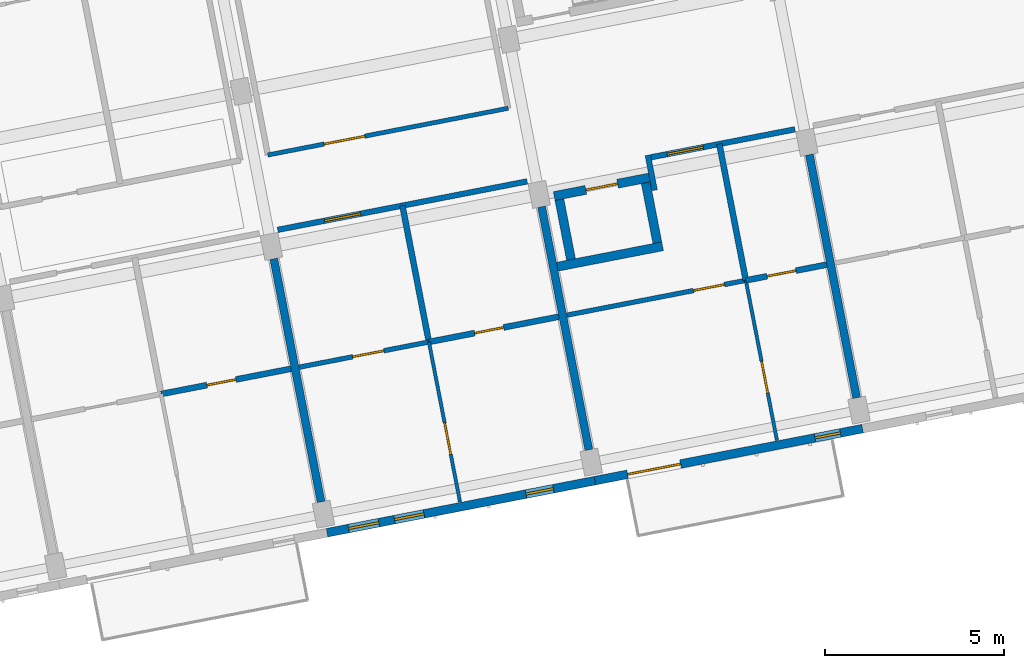
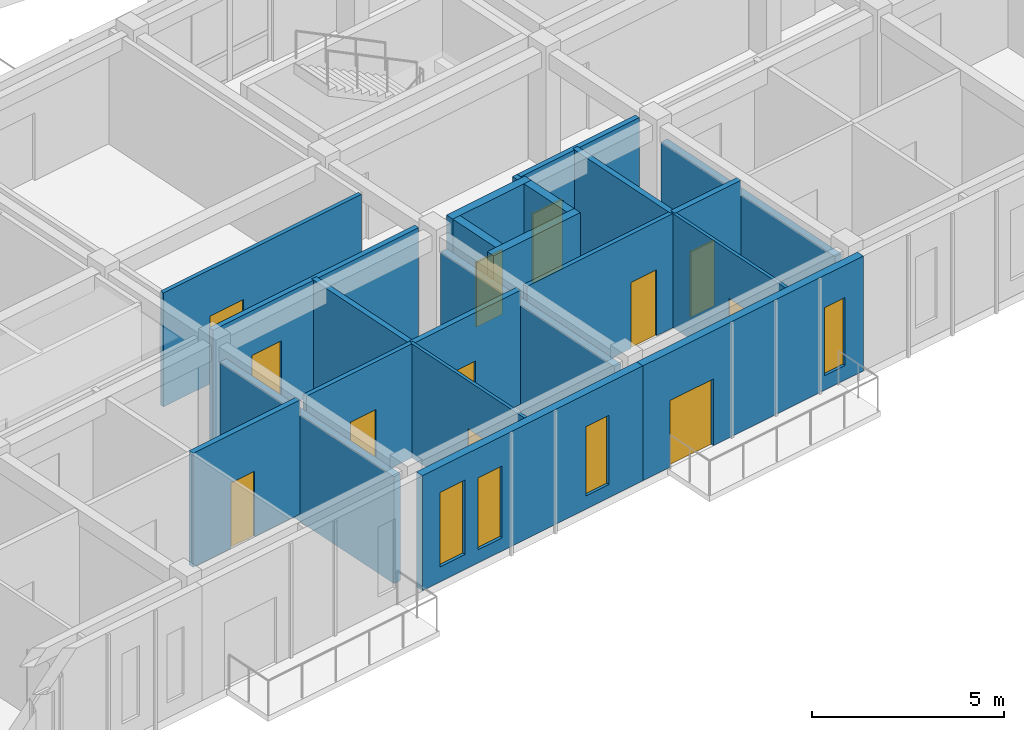
# One storey, part 100 of 150: 22 walls, 12 doors, 4 windows, 16 openings.
"""IFC4 building model written with IfcOpenShell, lengths in metres."""

from ifc_helpers import new_model, si_unit, direction, frame, frame_2d, origin, place, context, subcontext, project, spatial, rectangle, extrude, material, layer, layer_set, type_object, element, fill, save


model = new_model("IFC4")

# Units and contexts
model_context = context("Model", 3, precision=1e-05, world=origin(), true_north=direction((0.0, 1.0)))
body_context = subcontext(model_context, "Body", "Model", "MODEL_VIEW")
ifc_project = project(units=[si_unit("LENGTHUNIT", "METRE"), si_unit("AREAUNIT", "SQUARE_METRE"), si_unit("VOLUMEUNIT", "CUBIC_METRE"), si_unit("PLANEANGLEUNIT", "RADIAN"), si_unit("MASSUNIT", "GRAM", prefix="KILO")], contexts=[model_context])

# Site, building, storey
site_placement = place(None, origin())
site = spatial("IfcSite", under=ifc_project, at=site_placement, CompositionType="ELEMENT")
building_placement = place(site_placement, origin())
building = spatial("IfcBuilding", under=site, at=building_placement, Name="Kestramere Prow Commons", CompositionType="ELEMENT")
storey_placement = place(building_placement, frame((0.0, 0.0, 4.5)))
storey = spatial("IfcBuildingStorey", under=building, at=storey_placement, Name="L01", CompositionType="ELEMENT", Elevation=4.5)

# Wall, openings, windows
ifc_material_1 = material(Name="Fluoropolymer Standing-Seam Zinc-Aluminium Cladding", Category="aluminium")
ifc_layer_1 = layer(ifc_material_1, 0.239990234375)
ifc_layer_set_1 = layer_set([ifc_layer_1], Name="Fluoropolymer Standing-Seam Zinc-Aluminium Cladding")
wall_type_1 = type_object("IfcWallType", Name="EW-SEAM-240", PredefinedType="SOLIDWALL", material=ifc_layer_set_1)
wall_1_placement = place(storey_placement, frame((140.88134765625, 37.835205078125, 0.0), z_axis=(0.0, 0.0, 1.0), x_axis=(-0.981626422232, -0.190812911449, 0.0)))
wall_1 = element("IfcWall", 1, at=wall_1_placement, inside=storey, type_object=wall_type_1, Name="Block D L01 South Standing-Seam Wall 3", PredefinedType="SOLIDWALL", context=body_context, shape_type="SweptSolid", body=[
    extrude(rectangle(XDim=7.60009765625, YDim=0.239990234375, at=frame_2d((3.800048828125, 0.0))), origin(), (0.0, 0.0, 1.0), 3.64990234375),
])
opening_1_placement = place(wall_1_placement, frame((1.17236328125, 0.0, 0.419921875)))
opening_1 = element("IfcOpeningElement", 2, at=opening_1_placement, cuts=wall_1, Name="Opening WN-11", PredefinedType="OPENING", context=body_context, shape_type="SweptSolid", body=[
    extrude(rectangle(XDim=0.780029296875, YDim=2.199951171875, at=frame_2d((0.39013671875, 1.10009765625))), frame((0.0, 0.135009765625, 0.0), z_axis=(0.0, -1.0, 0.0), x_axis=(1.0, 0.0, 0.0)), (0.0, 0.0, 1.0), 0.27001953125),
])
opening_2_placement = place(wall_1_placement, frame((4.847900390625, 0.0, 0.419921875)))
opening_2 = element("IfcOpeningElement", 3, at=opening_2_placement, cuts=wall_1, Name="Opening WN-14", PredefinedType="OPENING", context=body_context, shape_type="SweptSolid", body=[
    extrude(rectangle(XDim=0.840087890625, YDim=2.280029296875, at=frame_2d((0.419921875, 1.14013671875))), frame((0.0, 0.135009765625, 0.0), z_axis=(0.0, -1.0, 0.0), x_axis=(1.0, 0.0, 0.0)), (0.0, 0.0, 1.0), 0.27001953125),
])
opening_3_placement = place(wall_1_placement, frame((6.1298828125, 0.0, 0.47998046875)))
opening_3 = element("IfcOpeningElement", 4, at=opening_3_placement, cuts=wall_1, Name="Opening WN-15", PredefinedType="OPENING", context=body_context, shape_type="SweptSolid", body=[
    extrude(rectangle(XDim=0.860107421875, YDim=2.360107421875, at=frame_2d((0.43017578125, 1.18017578125))), frame((0.0, 0.135009765625, 0.0), z_axis=(0.0, -1.0, 0.0), x_axis=(1.0, 0.0, 0.0)), (0.0, 0.0, 1.0), 0.27001953125),
])
ifc_material_2 = material(Name="Low-E Laminated Double Glazing", Category="glass")
window_type_1 = type_object("IfcWindowType", Name="WN-NAR-780A", PartitioningType="SINGLE_PANEL", PredefinedType="WINDOW", material=ifc_material_2)
window_1_placement = place(opening_1_placement, origin())
window_1 = element("IfcWindow", 5, at=window_1_placement, inside=storey, type_object=window_type_1, Name="WN-D-L01-S-2-00", OverallHeight=2.199951171875, OverallWidth=0.780029296875, PartitioningType="SINGLE_PANEL", PredefinedType="WINDOW", context=body_context, shape_type="SweptSolid", body=[
    extrude(rectangle(XDim=0.780029296875, YDim=2.199951171875, at=frame_2d((0.39013671875, 1.10009765625))), frame((0.0, 0.030029296875, 0.0), z_axis=(0.0, -1.0, 0.0), x_axis=(1.0, 0.0, 0.0)), (0.0, 0.0, 1.0), 0.06005859375),
])
fill(opening_1, window_1)
window_type_2 = type_object("IfcWindowType", Name="WN-NAR-840A", PartitioningType="DOUBLE_PANEL_VERTICAL", PredefinedType="WINDOW", material=ifc_material_2)
window_2_placement = place(opening_2_placement, origin())
window_2 = element("IfcWindow", 6, at=window_2_placement, inside=storey, type_object=window_type_2, Name="WN-D-L01-S-2-10", OverallHeight=2.280029296875, OverallWidth=0.840087890625, PartitioningType="SINGLE_PANEL", PredefinedType="WINDOW", context=body_context, shape_type="SweptSolid", body=[
    extrude(rectangle(XDim=0.840087890625, YDim=2.280029296875, at=frame_2d((0.419921875, 1.14013671875))), frame((0.0, 0.030029296875, 0.0), z_axis=(0.0, -1.0, 0.0), x_axis=(1.0, 0.0, 0.0)), (0.0, 0.0, 1.0), 0.06005859375),
])
fill(opening_2, window_2)
window_type_3 = type_object("IfcWindowType", Name="WN-NAR-860A", PartitioningType="DOUBLE_PANEL_VERTICAL", PredefinedType="WINDOW", material=ifc_material_2)
window_3_placement = place(opening_3_placement, origin())
window_3 = element("IfcWindow", 7, at=window_3_placement, inside=storey, type_object=window_type_3, Name="WN-D-L01-S-2-11", OverallHeight=2.360107421875, OverallWidth=0.860107421875, PartitioningType="SINGLE_PANEL", PredefinedType="WINDOW", context=body_context, shape_type="SweptSolid", body=[
    extrude(rectangle(XDim=0.860107421875, YDim=2.360107421875, at=frame_2d((0.43017578125, 1.18017578125))), frame((0.0, 0.030029296875, 0.0), z_axis=(0.0, -1.0, 0.0), x_axis=(1.0, 0.0, 0.0)), (0.0, 0.0, 1.0), 0.06005859375),
])
fill(opening_3, window_3)

# Wall, openings, door, window
wall_2_placement = place(storey_placement, frame((148.341552734375, 39.28515625, 0.0), z_axis=(0.0, 0.0, 1.0), x_axis=(-0.981631269434, -0.190787973596, 0.0)))
wall_2 = element("IfcWall", 8, at=wall_2_placement, inside=storey, type_object=wall_type_1, Name="Block D L01 South Standing-Seam Wall 4", PredefinedType="SOLIDWALL", context=body_context, shape_type="SweptSolid", body=[
    extrude(rectangle(XDim=7.599853515625, YDim=0.239990234375, at=frame_2d((3.7998046875, 0.0))), origin(), (0.0, 0.0, 1.0), 3.64990234375),
])
opening_4_placement = place(wall_2_placement, frame((5.1689453125, 0.0, 0.0)))
opening_4 = element("IfcOpeningElement", 9, at=opening_4_placement, cuts=wall_2, Name="Opening GD-BAL-01", PredefinedType="OPENING", context=body_context, shape_type="SweptSolid", body=[
    extrude(rectangle(XDim=1.5, YDim=2.1201171875, at=frame_2d((0.75, 1.06005859375))), frame((0.0, 0.135009765625, 0.0), z_axis=(0.0, -1.0, 0.0), x_axis=(1.0, 0.0, 0.0)), (0.0, 0.0, 1.0), 0.27001953125),
])
opening_5_placement = place(wall_2_placement, frame((0.6298828125, 0.0, 0.4599609375)))
opening_5 = element("IfcOpeningElement", 10, at=opening_5_placement, cuts=wall_2, Name="Opening WN-08", PredefinedType="OPENING", context=body_context, shape_type="SweptSolid", body=[
    extrude(rectangle(XDim=0.719970703125, YDim=2.159912109375, at=frame_2d((0.35986328125, 1.080078125))), frame((0.0, 0.135009765625, 0.0), z_axis=(0.0, -1.0, 0.0), x_axis=(1.0, 0.0, 0.0)), (0.0, 0.0, 1.0), 0.27001953125),
])
ifc_material_3 = material(Name="Thermally-Broken Anodised Aluminium Glazed", Category="aluminium")
door_type_1 = type_object("IfcDoorType", Name="GD-BAL-1500", OperationType="SLIDING_TO_RIGHT", PredefinedType="DOOR", material=ifc_material_3)
door_1_placement = place(opening_4_placement, origin())
door_1 = element("IfcDoor", 11, at=door_1_placement, inside=storey, type_object=door_type_1, Name="Block D L01 Balcony Door 4", OperationType="SLIDING_TO_RIGHT", OverallHeight=2.1201171875, OverallWidth=1.5, PredefinedType="DOOR", context=body_context, shape_type="SweptSolid", body=[
    extrude(rectangle(XDim=1.5, YDim=2.1201171875, at=frame_2d((0.75, 1.06005859375))), frame((0.0, 0.02490234375, 0.0), z_axis=(0.0, -1.0, 0.0), x_axis=(1.0, 0.0, 0.0)), (0.0, 0.0, 1.0), 0.050048828125),
])
fill(opening_4, door_1)
window_type_4 = type_object("IfcWindowType", Name="WN-NAR-720A", PartitioningType="SINGLE_PANEL", PredefinedType="WINDOW", material=ifc_material_2)
window_4_placement = place(opening_5_placement, origin())
window_4 = element("IfcWindow", 12, at=window_4_placement, inside=storey, type_object=window_type_4, Name="WN-D-L01-SR-3", OverallHeight=2.159912109375, OverallWidth=0.719970703125, PartitioningType="SINGLE_PANEL", PredefinedType="WINDOW", context=body_context, shape_type="SweptSolid", body=[
    extrude(rectangle(XDim=0.719970703125, YDim=2.159912109375, at=frame_2d((0.35986328125, 1.080078125))), frame((0.0, 0.030029296875, 0.0), z_axis=(0.0, -1.0, 0.0), x_axis=(1.0, 0.0, 0.0)), (0.0, 0.0, 1.0), 0.06005859375),
])
fill(opening_5, window_4)

# Wall, opening, door
ifc_material_4 = material(Name="Fire-Rated Calcium Silicate Wall")
ifc_layer_2 = layer(ifc_material_4, 0.155029296875)
ifc_layer_set_2 = layer_set([ifc_layer_2], Name="Fire-Rated Calcium Silicate Wall")
wall_type_2 = type_object("IfcWallType", Name="W-FIRE-150", PredefinedType="PARTITIONING", material=ifc_layer_set_2)
wall_3_placement = place(storey_placement, frame((132.045654296875, 44.822509765625, 0.0), z_axis=(0.0, 0.0, 1.0), x_axis=(0.9816234647, 0.190828125677, 0.0)))
wall_3 = element("IfcWall", 13, at=wall_3_placement, inside=storey, type_object=wall_type_2, Name="Interior Partition PW-D-L01-CS-2", PredefinedType="PARTITIONING", context=body_context, shape_type="SweptSolid", body=[
    extrude(rectangle(XDim=7.080078125, YDim=0.155029296875, at=frame_2d((3.5400390625, 0.0))), origin(), (0.0, 0.0, 1.0), 3.6201171875),
])
opening_6_placement = place(wall_3_placement, frame((1.330078125, 0.0, 0.0)))
opening_6 = element("IfcOpeningElement", 14, at=opening_6_placement, cuts=wall_3, Name="Opening ID-05", PredefinedType="OPENING", context=body_context, shape_type="SweptSolid", body=[
    extrude(rectangle(XDim=1.02001953125, YDim=2.199951171875, at=frame_2d((0.510009765625, 1.10009765625))), frame((0.0, 0.092529296875, 0.0), z_axis=(0.0, -1.0, 0.0), x_axis=(1.0, 0.0, 0.0)), (0.0, 0.0, 1.0), 0.18505859375),
])
ifc_material_5 = material(Name="Hardwood Fire-Rated Flat Entrance Door", Category="wood")
door_type_2 = type_object("IfcDoorType", Name="FD-ENT-02", OperationType="NOTDEFINED", PredefinedType="DOOR", material=ifc_material_5)
door_2_placement = place(opening_6_placement, origin())
door_2 = element("IfcDoor", 15, at=door_2_placement, inside=storey, type_object=door_type_2, Name="Interior Door DR-D-L01-ENT-S2", OperationType="SINGLE_SWING_RIGHT", OverallHeight=2.199951171875, OverallWidth=1.02001953125, PredefinedType="DOOR", context=body_context, shape_type="SweptSolid", body=[
    extrude(rectangle(XDim=1.02001953125, YDim=2.199951171875, at=frame_2d((0.510009765625, 1.10009765625))), frame((0.0, 0.02490234375, 0.0), z_axis=(0.0, -1.0, 0.0), x_axis=(1.0, 0.0, 0.0)), (0.0, 0.0, 1.0), 0.050048828125),
])
fill(opening_6, door_2)

# Wall
wall_4_placement = place(storey_placement, frame((142.5478515625, 45.9267578125, 0.0), z_axis=(0.0, 0.0, 1.0), x_axis=(-0.190639805817, 0.981660055436, 0.0)))
element("IfcWall", 16, at=wall_4_placement, inside=storey, type_object=wall_type_2, Name="Interior Partition PW-D-L01-HS-CLOSER", PredefinedType="PARTITIONING", context=body_context, shape_type="SweptSolid", body=[
    extrude(rectangle(XDim=0.9951171875, YDim=0.155029296875, at=frame_2d((0.49755859375, 0.0))), origin(), (0.0, 0.0, 1.0), 3.6201171875),
])

# Wall, opening, door
wall_5_placement = place(storey_placement, frame((142.450927734375, 46.84521484375, 0.0), z_axis=(0.0, 0.0, 1.0), x_axis=(0.981636249117, 0.190762350636, 0.0)))
wall_5 = element("IfcWall", 17, at=wall_5_placement, inside=storey, type_object=wall_type_2, Name="Interior Partition PW-D-L01-CS-3", PredefinedType="PARTITIONING", context=body_context, shape_type="SweptSolid", body=[
    extrude(rectangle(XDim=4.080078125, YDim=0.155029296875, at=frame_2d((2.0400390625, 0.0))), origin(), (0.0, 0.0, 1.0), 3.6201171875),
])
opening_7_placement = place(wall_5_placement, frame((0.4580078125, 0.0, 0.0)))
opening_7 = element("IfcOpeningElement", 18, at=opening_7_placement, cuts=wall_5, Name="Opening ID-05", PredefinedType="OPENING", context=body_context, shape_type="SweptSolid", body=[
    extrude(rectangle(XDim=1.02001953125, YDim=2.199951171875, at=frame_2d((0.510009765625, 1.10009765625))), frame((0.0, 0.092529296875, 0.0), z_axis=(0.0, -1.0, 0.0), x_axis=(1.0, 0.0, 0.0)), (0.0, 0.0, 1.0), 0.18505859375),
])
door_3_placement = place(opening_7_placement, origin())
door_3 = element("IfcDoor", 19, at=door_3_placement, inside=storey, type_object=door_type_2, Name="Interior Door DR-D-L01-ENT-S3", OperationType="SINGLE_SWING_LEFT", OverallHeight=2.199951171875, OverallWidth=1.02001953125, PredefinedType="DOOR", context=body_context, shape_type="SweptSolid", body=[
    extrude(rectangle(XDim=1.02001953125, YDim=2.199951171875, at=frame_2d((0.510009765625, 1.10009765625))), frame((0.0, 0.02490234375, 0.0), z_axis=(0.0, -1.0, 0.0), x_axis=(1.0, 0.0, 0.0)), (0.0, 0.0, 1.0), 0.050048828125),
])
fill(opening_7, door_3)

# Wall
ifc_material_6 = material(Name="Concrete C40/50", Category="concrete")
ifc_layer_3 = layer(ifc_material_6, 0.25)
ifc_layer_set_3 = layer_set([ifc_layer_3], Name="Concrete C40/50")
wall_type_3 = type_object("IfcWallType", Name="W-HS-250", PredefinedType="SHEAR", material=ifc_layer_set_3)
wall_6_placement = place(storey_placement, frame((139.8349609375, 43.794921875, 0.0), z_axis=(0.0, 0.0, 1.0), x_axis=(0.981624737535, 0.190821578075, 0.0)))
element("IfcWall", 20, at=wall_6_placement, inside=storey, type_object=wall_type_3, Name="Block D L01 Household Shelter South Wall", PredefinedType="SHEAR", context=body_context, shape_type="SweptSolid", body=[
    extrude(rectangle(XDim=2.989990234375, YDim=0.25, at=frame_2d((1.4951171875, 0.0))), origin(), (0.0, 0.0, 1.0), 3.89990234375),
])

# Wall, opening, door
wall_7_placement = place(storey_placement, frame((139.74755859375, 45.764404296875, 0.0), z_axis=(0.0, 0.0, 1.0), x_axis=(0.981630445883, 0.190792210834, 0.0)))
wall_7 = element("IfcWall", 21, at=wall_7_placement, inside=storey, type_object=wall_type_3, Name="Block D L01 Household Shelter North Wall", PredefinedType="SHEAR", context=body_context, shape_type="SweptSolid", body=[
    extrude(rectangle(XDim=2.699951171875, YDim=0.25, at=frame_2d((1.35009765625, 0.0))), origin(), (0.0, 0.0, 1.0), 3.89990234375),
])
opening_8_placement = place(wall_7_placement, frame((0.89990234375, 0.0, 0.0)))
opening_8 = element("IfcOpeningElement", 22, at=opening_8_placement, cuts=wall_7, Name="Opening ID-06", PredefinedType="OPENING", context=body_context, shape_type="SweptSolid", body=[
    extrude(rectangle(XDim=0.89990234375, YDim=2.050048828125, at=frame_2d((0.449951171875, 1.02490234375))), frame((0.0, 0.139892578125, 0.0), z_axis=(0.0, -1.0, 0.0), x_axis=(1.0, 0.0, 0.0)), (0.0, 0.0, 1.0), 0.280029296875),
])
ifc_material_7 = material(Name="Galvanised Steel S275JR Household Shelter Door", Category="steel")
door_type_3 = type_object("IfcDoorType", Name="FD-HS-01", OperationType="NOTDEFINED", PredefinedType="DOOR", material=ifc_material_7)
door_4_placement = place(opening_8_placement, origin())
door_4 = element("IfcDoor", 23, at=door_4_placement, inside=storey, type_object=door_type_3, Name="Block D L01 Household Shelter Blast Door", OperationType="SINGLE_SWING_LEFT", OverallHeight=2.050048828125, OverallWidth=0.89990234375, PredefinedType="DOOR", context=body_context, shape_type="SweptSolid", body=[
    extrude(rectangle(XDim=0.89990234375, YDim=2.050048828125, at=frame_2d((0.449951171875, 1.02490234375))), frame((0.0, 0.02490234375, 0.0), z_axis=(0.0, -1.0, 0.0), x_axis=(1.0, 0.0, 0.0)), (0.0, 0.0, 1.0), 0.050048828125),
])
fill(opening_8, door_4)

# Walls
for number, where, z_axis, x_axis, name in (
    (24, (140.21826171875, 43.996826171875, 0.0), (0.0, 0.0, 1.0), (-0.190727425199, 0.981643035567, 0.0), "Block D L01 Household Shelter W Wall"),
    (25, (142.623291015625, 44.46435546875, 0.0), (0.0, 0.0, 1.0), (-0.190727425199, 0.981643035567, 0.0), "Block D L01 Household Shelter E Wall"),
):
    element("IfcWall", number, at=place(storey_placement, frame(where, z_axis=z_axis, x_axis=x_axis)), inside=storey, type_object=wall_type_3, Name=name, PredefinedType="SHEAR", context=body_context, shape_type="SweptSolid", body=[
        extrude(rectangle(XDim=1.699951171875, YDim=0.25, at=frame_2d((0.85009765625, 0.0))), origin(), (0.0, 0.0, 1.0), 3.89990234375),
    ])

# Wall, opening, door
ifc_material_8 = material(Name="Lightweight Blockwork and Plaster", Category="masonry")
ifc_layer_4 = layer(ifc_material_8, 0.1201171875)
ifc_layer_set_4 = layer_set([ifc_layer_4], Name="Lightweight Blockwork and Plaster")
wall_type_4 = type_object("IfcWallType", Name="W-PART-120", PredefinedType="PARTITIONING", material=ifc_layer_set_4)
wall_8_placement = place(storey_placement, frame((131.7724609375, 46.90869140625, 0.0), z_axis=(0.0, 0.0, 1.0), x_axis=(0.981622468528, 0.190833249935, 0.0)))
wall_8 = element("IfcWall", 26, at=wall_8_placement, inside=storey, type_object=wall_type_4, Name="Interior Partition PW-D-L01-CRT-CN", PredefinedType="PARTITIONING", context=body_context, shape_type="SweptSolid", body=[
    extrude(rectangle(XDim=6.820068359375, YDim=0.1201171875, at=frame_2d((3.41015625, 0.0))), origin(), (0.0, 0.0, 1.0), 3.6201171875),
])
opening_9_placement = place(wall_8_placement, frame((1.60009765625, 0.0, 0.0)))
opening_9 = element("IfcOpeningElement", 27, at=opening_9_placement, cuts=wall_8, Name="Opening ID-09", PredefinedType="OPENING", context=body_context, shape_type="SweptSolid", body=[
    extrude(rectangle(XDim=1.14990234375, YDim=2.14990234375, at=frame_2d((0.574951171875, 1.074951171875))), frame((0.0, 0.074951171875, 0.0), z_axis=(0.0, -1.0, 0.0), x_axis=(1.0, 0.0, 0.0)), (0.0, 0.0, 1.0), 0.150146484375),
])
ifc_material_9 = material(Name="Engineered Timber Acoustic Door", Category="wood")
door_type_4 = type_object("IfcDoorType", Name="D-RM-02", OperationType="NOTDEFINED", PredefinedType="DOOR", material=ifc_material_9)
door_5_placement = place(opening_9_placement, origin())
door_5 = element("IfcDoor", 28, at=door_5_placement, inside=storey, type_object=door_type_4, Name="Interior Door DR-D-L01-CRTLNG", OperationType="SINGLE_SWING_RIGHT", OverallHeight=2.14990234375, OverallWidth=1.14990234375, PredefinedType="DOOR", context=body_context, shape_type="SweptSolid", body=[
    extrude(rectangle(XDim=1.14990234375, YDim=2.14990234375, at=frame_2d((0.574951171875, 1.074951171875))), frame((0.0, 0.02490234375, 0.0), z_axis=(0.0, -1.0, 0.0), x_axis=(1.0, 0.0, 0.0)), (0.0, 0.0, 1.0), 0.050048828125),
])
fill(opening_9, door_5)

ifc_layer_5 = layer(ifc_material_8, 0.1298828125)
ifc_layer_set_5 = layer_set([ifc_layer_5], Name="Lightweight Blockwork and Plaster")
wall_type_5 = type_object("IfcWallType", Name="W-PART-130", PredefinedType="PARTITIONING", material=ifc_layer_set_5)
wall_9_placement = place(storey_placement, frame((132.641845703125, 40.99609375, 0.0), z_axis=(0.0, 0.0, 1.0), x_axis=(0.981626422232, 0.190812911449, 0.0)))
wall_9 = element("IfcWall", 29, at=wall_9_placement, inside=storey, type_object=wall_type_5, Name="Interior Partition PW-D-L01-MIDS1-2", PredefinedType="PARTITIONING", context=body_context, shape_type="SweptSolid", body=[
    extrude(rectangle(XDim=3.684814453125, YDim=0.1298828125, at=frame_2d((1.84228515625, 0.0))), origin(), (0.0, 0.0, 1.0), 3.6201171875),
])
opening_10_placement = place(wall_9_placement, frame((1.52490234375, 0.0, 0.0)))
opening_10 = element("IfcOpeningElement", 30, at=opening_10_placement, cuts=wall_9, Name="Opening ID-10", PredefinedType="OPENING", context=body_context, shape_type="SweptSolid", body=[
    extrude(rectangle(XDim=0.8798828125, YDim=2.10009765625, at=frame_2d((0.43994140625, 1.050048828125))), frame((0.0, 0.079833984375, 0.0), z_axis=(0.0, -1.0, 0.0), x_axis=(1.0, 0.0, 0.0)), (0.0, 0.0, 1.0), 0.159912109375),
])
ifc_material_10 = material(Name="Engineered Timber Bedroom Door", Category="wood")
door_type_5 = type_object("IfcDoorType", Name="D-RM-03", OperationType="NOTDEFINED", PredefinedType="DOOR", material=ifc_material_10)
door_6_placement = place(opening_10_placement, origin())
door_6 = element("IfcDoor", 31, at=door_6_placement, inside=storey, type_object=door_type_5, Name="Interior Door DR-D-L01-KL-S2", OperationType="SINGLE_SWING_RIGHT", OverallHeight=2.10009765625, OverallWidth=0.8798828125, PredefinedType="DOOR", context=body_context, shape_type="SweptSolid", body=[
    extrude(rectangle(XDim=0.8798828125, YDim=2.10009765625, at=frame_2d((0.43994140625, 1.050048828125))), frame((0.0, 0.02490234375, 0.0), z_axis=(0.0, -1.0, 0.0), x_axis=(1.0, 0.0, 0.0)), (0.0, 0.0, 1.0), 0.050048828125),
])
fill(opening_10, door_6)

wall_10_placement = place(storey_placement, frame((140.10205078125, 42.446044921875, 0.0), z_axis=(0.0, 0.0, 1.0), x_axis=(0.981621892043, 0.19083621528, 0.0)))
wall_10 = element("IfcWall", 32, at=wall_10_placement, inside=storey, type_object=wall_type_5, Name="Interior Partition PW-D-L01-MIDS1-3", PredefinedType="PARTITIONING", context=body_context, shape_type="SweptSolid", body=[
    extrude(rectangle(XDim=5.080078125, YDim=0.1298828125, at=frame_2d((2.5400390625, 0.0))), origin(), (0.0, 0.0, 1.0), 3.6201171875),
])
opening_11_placement = place(wall_10_placement, frame((3.594970703125, 0.0, 0.0)))
opening_11 = element("IfcOpeningElement", 33, at=opening_11_placement, cuts=wall_10, Name="Opening ID-10", PredefinedType="OPENING", context=body_context, shape_type="SweptSolid", body=[
    extrude(rectangle(XDim=0.8798828125, YDim=2.10009765625, at=frame_2d((0.43994140625, 1.050048828125))), frame((0.0, 0.079833984375, 0.0), z_axis=(0.0, -1.0, 0.0), x_axis=(1.0, 0.0, 0.0)), (0.0, 0.0, 1.0), 0.159912109375),
])
door_7_placement = place(opening_11_placement, origin())
door_7 = element("IfcDoor", 34, at=door_7_placement, inside=storey, type_object=door_type_5, Name="Interior Door DR-D-L01-KL-S3", OperationType="SINGLE_SWING_RIGHT", OverallHeight=2.10009765625, OverallWidth=0.8798828125, PredefinedType="DOOR", context=body_context, shape_type="SweptSolid", body=[
    extrude(rectangle(XDim=0.8798828125, YDim=2.10009765625, at=frame_2d((0.43994140625, 1.050048828125))), frame((0.0, 0.02490234375, 0.0), z_axis=(0.0, -1.0, 0.0), x_axis=(1.0, 0.0, 0.0)), (0.0, 0.0, 1.0), 0.050048828125),
])
fill(opening_11, door_7)

ifc_material_11 = material(Name="Gypsum Acoustic Drywall")
ifc_layer_6 = layer(ifc_material_11, 0.094970703125)
ifc_layer_set_6 = layer_set([ifc_layer_6], Name="Gypsum Acoustic Drywall")
wall_type_6 = type_object("IfcWallType", Name="W-PART-95", PredefinedType="PARTITIONING", material=ifc_layer_set_6)
wall_11_placement = place(storey_placement, frame((137.125244140625, 37.242431640625, 0.0), z_axis=(0.0, 0.0, 1.0), x_axis=(-0.190787619192, 0.981631338316, 0.0)))
wall_11 = element("IfcWall", 35, at=wall_11_placement, inside=storey, type_object=wall_type_6, Name="Interior Partition PW-D-L01-LB-S2", PredefinedType="PARTITIONING", context=body_context, shape_type="SweptSolid", body=[
    extrude(rectangle(XDim=4.540283203125, YDim=0.094970703125, at=frame_2d((2.27001953125, 0.0))), origin(), (0.0, 0.0, 1.0), 3.6201171875),
])
opening_12_placement = place(wall_11_placement, frame((1.35009765625, 0.0, 0.0)))
opening_12 = element("IfcOpeningElement", 36, at=opening_12_placement, cuts=wall_11, Name="Opening ID-08", PredefinedType="OPENING", context=body_context, shape_type="SweptSolid", body=[
    extrude(rectangle(XDim=0.89990234375, YDim=2.10009765625, at=frame_2d((0.449951171875, 1.050048828125))), frame((0.0, 0.0625, 0.0), z_axis=(0.0, -1.0, 0.0), x_axis=(1.0, 0.0, 0.0)), (0.0, 0.0, 1.0), 0.125),
])
ifc_material_12 = material(Name="Engineered Timber Flush Door", Category="wood")
door_type_6 = type_object("IfcDoorType", Name="D-RM-01", OperationType="NOTDEFINED", PredefinedType="DOOR", material=ifc_material_12)
door_8_placement = place(opening_12_placement, origin())
door_8 = element("IfcDoor", 37, at=door_8_placement, inside=storey, type_object=door_type_6, Name="Interior Door DR-D-L01-BED-S2", OperationType="SINGLE_SWING_LEFT", OverallHeight=2.10009765625, OverallWidth=0.89990234375, PredefinedType="DOOR", context=body_context, shape_type="SweptSolid", body=[
    extrude(rectangle(XDim=0.89990234375, YDim=2.10009765625, at=frame_2d((0.449951171875, 1.050048828125))), frame((0.0, 0.02490234375, 0.0), z_axis=(0.0, -1.0, 0.0), x_axis=(1.0, 0.0, 0.0)), (0.0, 0.0, 1.0), 0.050048828125),
])
fill(opening_12, door_8)

wall_12_placement = place(storey_placement, frame((145.955078125, 38.958984375, 0.0), z_axis=(0.0, 0.0, 1.0), x_axis=(-0.190797690541, 0.981629380817, 0.0)))
wall_12 = element("IfcWall", 38, at=wall_12_placement, inside=storey, type_object=wall_type_6, Name="Interior Partition PW-D-L01-LB-S3", PredefinedType="PARTITIONING", context=body_context, shape_type="SweptSolid", body=[
    extrude(rectangle(XDim=4.5400390625, YDim=0.094970703125, at=frame_2d((2.27001953125, 0.0))), origin(), (0.0, 0.0, 1.0), 3.6201171875),
])
opening_13_placement = place(wall_12_placement, frame((1.35009765625, 0.0, 0.0)))
opening_13 = element("IfcOpeningElement", 39, at=opening_13_placement, cuts=wall_12, Name="Opening ID-08", PredefinedType="OPENING", context=body_context, shape_type="SweptSolid", body=[
    extrude(rectangle(XDim=0.89990234375, YDim=2.10009765625, at=frame_2d((0.449951171875, 1.050048828125))), frame((0.0, 0.0625, 0.0), z_axis=(0.0, -1.0, 0.0), x_axis=(1.0, 0.0, 0.0)), (0.0, 0.0, 1.0), 0.125),
])
door_9_placement = place(opening_13_placement, origin())
door_9 = element("IfcDoor", 40, at=door_9_placement, inside=storey, type_object=door_type_6, Name="Interior Door DR-D-L01-BED-S3", OperationType="SINGLE_SWING_RIGHT", OverallHeight=2.10009765625, OverallWidth=0.89990234375, PredefinedType="DOOR", context=body_context, shape_type="SweptSolid", body=[
    extrude(rectangle(XDim=0.89990234375, YDim=2.10009765625, at=frame_2d((0.449951171875, 1.050048828125))), frame((0.0, 0.02490234375, 0.0), z_axis=(0.0, -1.0, 0.0), x_axis=(1.0, 0.0, 0.0)), (0.0, 0.0, 1.0), 0.050048828125),
])
fill(opening_13, door_9)

ifc_material_13 = material(Name="Waterproof Sanitary Masonry Wall", Category="masonry")
ifc_layer_7 = layer(ifc_material_13, 0.1650390625)
ifc_layer_set_7 = layer_set([ifc_layer_7], Name="Waterproof Sanitary Masonry Wall")
wall_type_7 = type_object("IfcWallType", Name="W-PLUMB-150", PredefinedType="PLUMBINGWALL", material=ifc_layer_set_7)
wall_13_placement = place(storey_placement, frame((128.798583984375, 40.2490234375, 0.0), z_axis=(0.0, 0.0, 1.0), x_axis=(0.981628834294, 0.190800502313, 0.0)))
wall_13 = element("IfcWall", 41, at=wall_13_placement, inside=storey, type_object=wall_type_7, Name="Interior Partition PW-D-L01-MIDS2-1", PredefinedType="PLUMBINGWALL", context=body_context, shape_type="SweptSolid", body=[
    extrude(rectangle(XDim=3.68505859375, YDim=0.1650390625, at=frame_2d((1.842529296875, 0.0))), origin(), (0.0, 0.0, 1.0), 3.6201171875),
])
opening_14_placement = place(wall_13_placement, frame((1.300048828125, 0.0, 0.0)))
opening_14 = element("IfcOpeningElement", 42, at=opening_14_placement, cuts=wall_13, Name="Opening ID-11", PredefinedType="OPENING", context=body_context, shape_type="SweptSolid", body=[
    extrude(rectangle(XDim=0.820068359375, YDim=2.080078125, at=frame_2d((0.41015625, 1.0400390625))), frame((0.0, 0.097412109375, 0.0), z_axis=(0.0, -1.0, 0.0), x_axis=(1.0, 0.0, 0.0)), (0.0, 0.0, 1.0), 0.195068359375),
])
ifc_material_14 = material(Name="Moisture-Resistant Timber Bathroom Door", Category="wood")
door_type_7 = type_object("IfcDoorType", Name="D-BT-01", OperationType="NOTDEFINED", PredefinedType="DOOR", material=ifc_material_14)
door_10_placement = place(opening_14_placement, origin())
door_10 = element("IfcDoor", 43, at=door_10_placement, inside=storey, type_object=door_type_7, Name="Interior Door DR-D-L01-BTH-S1", OperationType="SINGLE_SWING_LEFT", OverallHeight=2.080078125, OverallWidth=0.820068359375, PredefinedType="DOOR", context=body_context, shape_type="SweptSolid", body=[
    extrude(rectangle(XDim=0.820068359375, YDim=2.080078125, at=frame_2d((0.41015625, 1.0400390625))), frame((0.0, 0.02490234375, 0.0), z_axis=(0.0, -1.0, 0.0), x_axis=(1.0, 0.0, 0.0)), (0.0, 0.0, 1.0), 0.050048828125),
])
fill(opening_14, door_10)

wall_14_placement = place(storey_placement, frame((136.259033203125, 41.69921875, 0.0), z_axis=(0.0, 0.0, 1.0), x_axis=(0.981628834294, 0.190800502313, 0.0)))
wall_14 = element("IfcWall", 44, at=wall_14_placement, inside=storey, type_object=wall_type_7, Name="Interior Partition PW-D-L01-MIDS2-2", PredefinedType="PLUMBINGWALL", context=body_context, shape_type="SweptSolid", body=[
    extrude(rectangle(XDim=3.68505859375, YDim=0.1650390625, at=frame_2d((1.842529296875, 0.0))), origin(), (0.0, 0.0, 1.0), 3.6201171875),
])
opening_15_placement = place(wall_14_placement, frame((1.300048828125, 0.0, 0.0)))
opening_15 = element("IfcOpeningElement", 45, at=opening_15_placement, cuts=wall_14, Name="Opening ID-11", PredefinedType="OPENING", context=body_context, shape_type="SweptSolid", body=[
    extrude(rectangle(XDim=0.820068359375, YDim=2.080078125, at=frame_2d((0.41015625, 1.0400390625))), frame((0.0, 0.097412109375, 0.0), z_axis=(0.0, -1.0, 0.0), x_axis=(1.0, 0.0, 0.0)), (0.0, 0.0, 1.0), 0.195068359375),
])
door_11_placement = place(opening_15_placement, origin())
door_11 = element("IfcDoor", 46, at=door_11_placement, inside=storey, type_object=door_type_7, Name="Interior Door DR-D-L01-BTH-S2", OperationType="SINGLE_SWING_LEFT", OverallHeight=2.080078125, OverallWidth=0.820068359375, PredefinedType="DOOR", context=body_context, shape_type="SweptSolid", body=[
    extrude(rectangle(XDim=0.820068359375, YDim=2.080078125, at=frame_2d((0.41015625, 1.0400390625))), frame((0.0, 0.02490234375, 0.0), z_axis=(0.0, -1.0, 0.0), x_axis=(1.0, 0.0, 0.0)), (0.0, 0.0, 1.0), 0.050048828125),
])
fill(opening_15, door_11)

# Wall
wall_15_placement = place(storey_placement, frame((136.259033203125, 41.69921875, 0.0), z_axis=(0.0, 0.0, 1.0), x_axis=(-0.190835887914, 0.981621955686, 0.0)))
element("IfcWall", 47, at=wall_15_placement, inside=storey, type_object=wall_type_7, Name="Interior Partition PW-D-L01-KB-S2", PredefinedType="PLUMBINGWALL", context=body_context, shape_type="SweptSolid", body=[
    extrude(rectangle(XDim=3.869873046875, YDim=0.1650390625, at=frame_2d((1.93505859375, 0.0))), origin(), (0.0, 0.0, 1.0), 3.6201171875),
])

# Wall, opening, door
wall_16_placement = place(storey_placement, frame((145.0888671875, 43.41552734375, 0.0), z_axis=(0.0, 0.0, 1.0), x_axis=(0.981640351498, 0.190741239147, 0.0)))
wall_16 = element("IfcWall", 48, at=wall_16_placement, inside=storey, type_object=wall_type_7, Name="Interior Partition PW-D-L01-MIDS2-3", PredefinedType="PLUMBINGWALL", context=body_context, shape_type="SweptSolid", body=[
    extrude(rectangle(XDim=2.289794921875, YDim=0.1650390625, at=frame_2d((1.14501953125, 0.0))), origin(), (0.0, 0.0, 1.0), 3.6201171875),
])
opening_16_placement = place(wall_16_placement, frame((0.60205078125, 0.0, 0.0)))
opening_16 = element("IfcOpeningElement", 49, at=opening_16_placement, cuts=wall_16, Name="Opening ID-11", PredefinedType="OPENING", context=body_context, shape_type="SweptSolid", body=[
    extrude(rectangle(XDim=0.820068359375, YDim=2.080078125, at=frame_2d((0.41015625, 1.0400390625))), frame((0.0, 0.097412109375, 0.0), z_axis=(0.0, -1.0, 0.0), x_axis=(1.0, 0.0, 0.0)), (0.0, 0.0, 1.0), 0.195068359375),
])
door_12_placement = place(opening_16_placement, origin())
door_12 = element("IfcDoor", 50, at=door_12_placement, inside=storey, type_object=door_type_7, Name="Interior Door DR-D-L01-BTH-S3", OperationType="SINGLE_SWING_LEFT", OverallHeight=2.080078125, OverallWidth=0.820068359375, PredefinedType="DOOR", context=body_context, shape_type="SweptSolid", body=[
    extrude(rectangle(XDim=0.820068359375, YDim=2.080078125, at=frame_2d((0.41015625, 1.0400390625))), frame((0.0, 0.02490234375, 0.0), z_axis=(0.0, -1.0, 0.0), x_axis=(1.0, 0.0, 0.0)), (0.0, 0.0, 1.0), 0.050048828125),
])
fill(opening_16, door_12)

# Walls
wall_17_placement = place(storey_placement, frame((145.0888671875, 43.41552734375, 0.0), z_axis=(0.0, 0.0, 1.0), x_axis=(-0.190835887914, 0.981621955686, 0.0)))
element("IfcWall", 51, at=wall_17_placement, inside=storey, type_object=wall_type_7, Name="Interior Partition PW-D-L01-KB-S3", PredefinedType="PLUMBINGWALL", context=body_context, shape_type="SweptSolid", body=[
    extrude(rectangle(XDim=3.869873046875, YDim=0.1650390625, at=frame_2d((1.93505859375, 0.0))), origin(), (0.0, 0.0, 1.0), 3.6201171875),
])
ifc_material_15 = material(Name="Precast concrete C40/50", Category="concrete")
ifc_layer_8 = layer(ifc_material_15, 0.219970703125)
ifc_layer_set_8 = layer_set([ifc_layer_8], Name="Precast concrete C40/50")
wall_type_8 = type_object("IfcWallType", Name="W-XWALL-220", PredefinedType="SHEAR", material=ifc_layer_set_8)
for number, where, z_axis, x_axis, name in (
    (52, (133.25390625, 37.243896484375, -0.25), (0.0, 0.0, 1.0), (-0.190819465253, 0.981625148252, 0.0), "Block D L01 Precast Cross-Wall 2"),
    (53, (140.71435546875, 38.694091796875, -0.25), (0.0, 0.0, 1.0), (-0.190819465253, 0.981625148252, 0.0), "Block D L01 Precast Cross-Wall 3"),
):
    element("IfcWall", number, at=place(storey_placement, frame(where, z_axis=z_axis, x_axis=x_axis)), inside=storey, type_object=wall_type_8, Name=name, PredefinedType="SHEAR", context=body_context, shape_type="SweptSolid", body=[
        extrude(rectangle(XDim=6.89990234375, YDim=0.219970703125, at=frame_2d((3.449951171875, 0.0))), origin(), (0.0, 0.0, 1.0), 3.39990234375),
    ])
wall_18_placement = place(storey_placement, frame((148.1748046875, 40.14404296875, -0.25), z_axis=(0.0, 0.0, 1.0), x_axis=(-0.190812837813, 0.981626436546, 0.0)))
element("IfcWall", 54, at=wall_18_placement, inside=storey, type_object=wall_type_8, Name="Block D L01 Precast Cross-Wall 4", PredefinedType="SHEAR", context=body_context, shape_type="SweptSolid", body=[
    extrude(rectangle(XDim=6.900146484375, YDim=0.219970703125, at=frame_2d((3.4501953125, 0.0))), origin(), (0.0, 0.0, 1.0), 3.39990234375),
])

save(model, "model.ifc")
